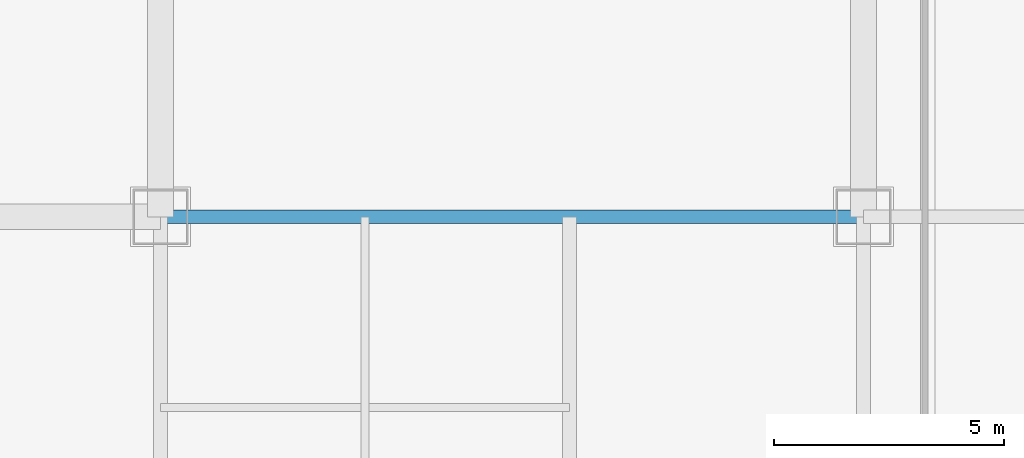
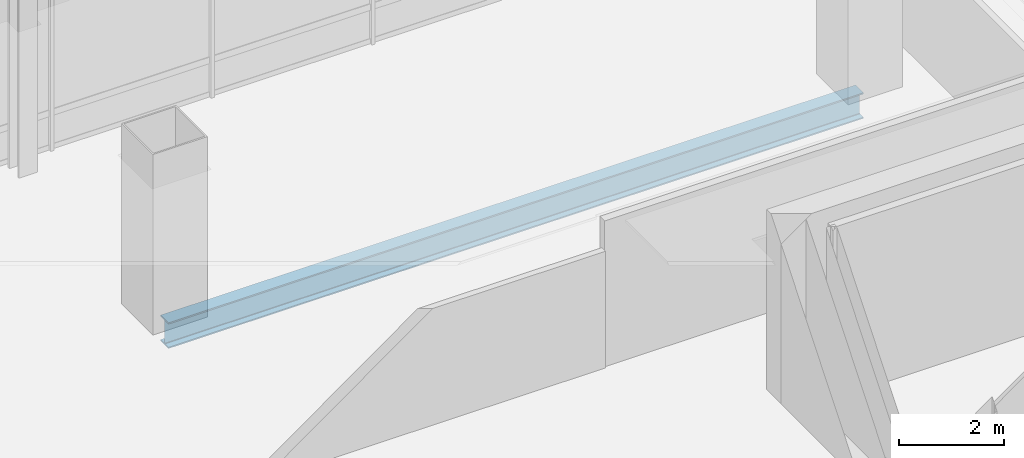
# One storey, part 22 of 41: 1 beam.
"""IFC4 building model written with IfcOpenShell, lengths in metres."""

from ifc_helpers import new_model, si_unit, direction, frame, origin, origin_2d, place, context, subcontext, project, spatial, i_section, extrude, material, material_profile, profile_set, type_object, element, save


model = new_model("IFC4")

# Units and contexts
model_context = context("Model", 3, precision=1e-05, world=origin(), true_north=direction((0.0, 1.0)))
body_context = subcontext(model_context, "Body", "Model", "MODEL_VIEW")
ifc_project = project(units=[si_unit("LENGTHUNIT", "METRE"), si_unit("AREAUNIT", "SQUARE_METRE"), si_unit("VOLUMEUNIT", "CUBIC_METRE"), si_unit("PLANEANGLEUNIT", "RADIAN"), si_unit("MASSUNIT", "GRAM", prefix="KILO")], contexts=[model_context])

# Site, building, storey
site_placement = place(None, origin())
site = spatial("IfcSite", under=ifc_project, at=site_placement, CompositionType="ELEMENT")
building_placement = place(site_placement, origin())
building = spatial("IfcBuilding", under=site, at=building_placement, Name="Punatoya Terracotta Tower", CompositionType="ELEMENT")
storey_placement = place(building_placement, frame((0.0, 0.0, 309.0)))
storey = spatial("IfcBuildingStorey", under=building, at=storey_placement, Name="L73", CompositionType="ELEMENT", Elevation=309.0)

# Beam
ifc_material = material(Name="Steel S355", Category="steel")
ifc_material_profile = material_profile(ifc_material, i_section(OverallWidth=0.300048828125, OverallDepth=0.60009765625, WebThickness=0.015380859375, FlangeThickness=0.030029296875, FilletRadius=0.01806640625, at=origin_2d()))
ifc_profile_set = profile_set([ifc_material_profile], Name="Steel S355")
beam_type = type_object("IfcBeamType", Name="BM-PRI-600", PredefinedType="BEAM", material=ifc_profile_set)
beam_placement = place(storey_placement, frame((-19.10009765625, 17.5, -0.5), z_axis=(1.0, 0.0, 0.0), x_axis=(0.0, 1.0, 0.0)))
element("IfcBeam", 1, at=beam_placement, inside=storey, type_object=beam_type, Name="BM-L73-RG-N1", PredefinedType="BEAM", context=body_context, shape_type="SweptSolid", body=[
    extrude(i_section(OverallWidth=0.300048828125, OverallDepth=0.60009765625, WebThickness=0.015380859375, FlangeThickness=0.030029296875, FilletRadius=0.01806640625, at=origin_2d()), origin(), (0.0, 0.0, 1.0), 15.300048828125),
])

save(model, "model.ifc")
